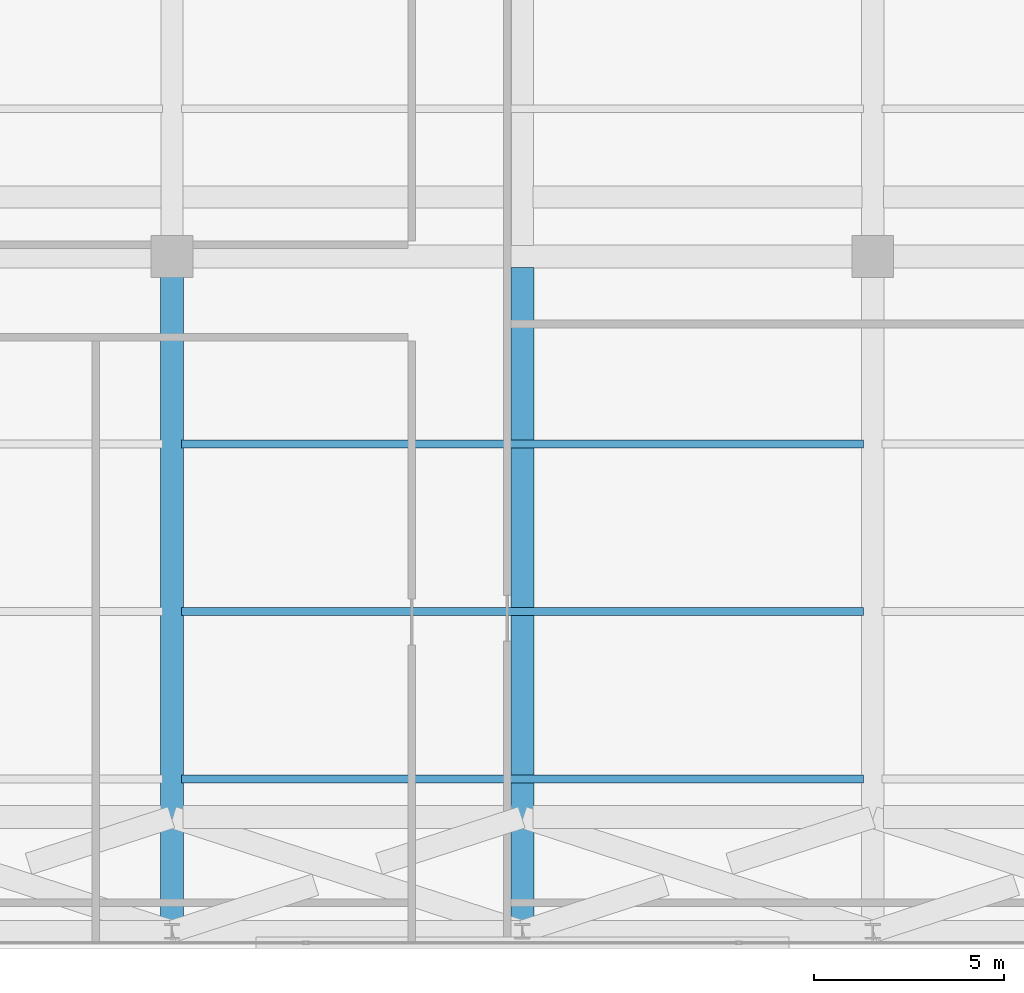
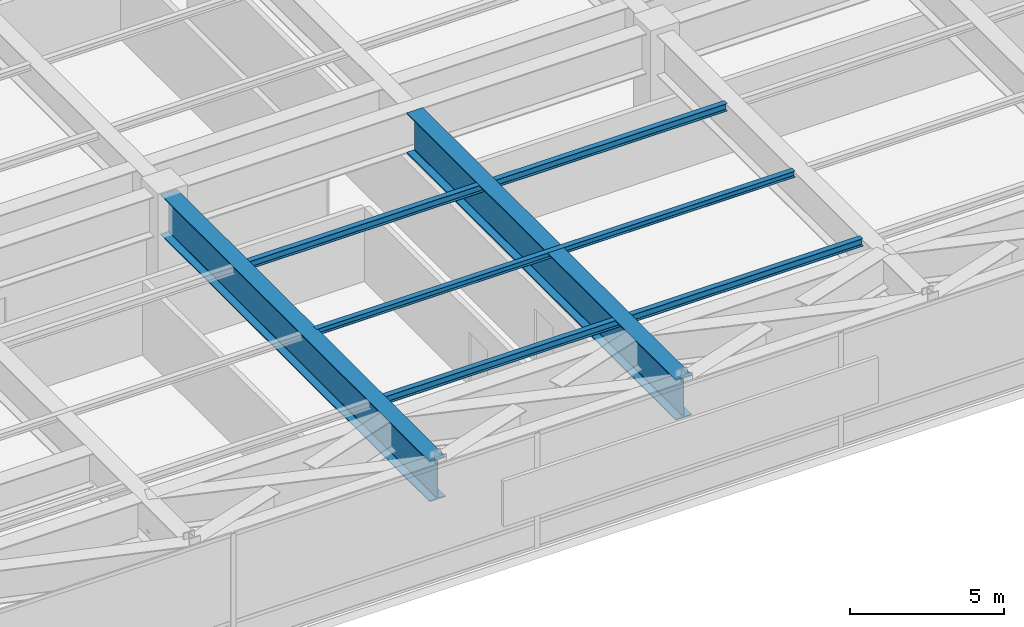
# One storey, part 7 of 30: 5 beams.
"""IFC4 building model written with IfcOpenShell, lengths in metres."""

from ifc_helpers import new_model, si_unit, direction, frame, origin, origin_2d, place, context, subcontext, project, spatial, i_section, extrude, source, transform, mapped, material, material_profile, profile_set, type_object, type_shapes, element, save


model = new_model("IFC4")

# Units and contexts
model_context = context("Model", 3, precision=1e-05, world=origin(), true_north=direction((0.0, 1.0)))
body_context = subcontext(model_context, "Body", "Model", "MODEL_VIEW")
ifc_project = project(units=[si_unit("LENGTHUNIT", "METRE"), si_unit("AREAUNIT", "SQUARE_METRE"), si_unit("VOLUMEUNIT", "CUBIC_METRE"), si_unit("PLANEANGLEUNIT", "RADIAN"), si_unit("MASSUNIT", "GRAM", prefix="KILO")], contexts=[model_context])

# Site, building, storey
site_placement = place(None, origin())
site = spatial("IfcSite", under=ifc_project, at=site_placement, CompositionType="ELEMENT")
building_placement = place(site_placement, origin())
building = spatial("IfcBuilding", under=site, at=building_placement, Name="Varnel Quay Broadcast Tower", CompositionType="ELEMENT")
storey_placement = place(building_placement, frame((0.0, 0.0, 82.199951171875)))
storey = spatial("IfcBuildingStorey", under=building, at=storey_placement, Name="L19", CompositionType="ELEMENT", Elevation=82.199951171875)

# Beams
ifc_material_1 = material(Name="Structural Steel CSA G40.21 350WT", Category="steel")
ifc_material_profile_1 = material_profile(ifc_material_1, i_section(OverallWidth=0.60009765625, OverallDepth=1.60009765625, WebThickness=0.02392578125, FlangeThickness=0.0419921875, FilletRadius=0.02197265625, at=origin_2d()), Name="WWF1600X620")
ifc_profile_set_1 = profile_set([ifc_material_profile_1], Name="Structural Steel CSA G40.21 350WT")
beam_type_1 = type_object("IfcBeamType", Name="Girder_WWF1600X620", PredefinedType="BEAM", material=ifc_profile_set_1)
shared_shape_1 = source(origin(), body_context, "Body", "SweptSolid", [
    extrude(i_section(OverallWidth=0.60009765625, OverallDepth=1.60009765625, WebThickness=0.02392578125, FlangeThickness=0.0419921875, FilletRadius=0.02197265625, at=origin_2d()), origin(), (0.0, 0.0, 1.0), 17.4150390625),
])
type_shapes(beam_type_1, [shared_shape_1])
for number, where, z_axis, x_axis, name in (
    (1, (24.800048828125, 1.669921875, 3.75), (0.0, 1.0, 0.0), (-1.0, 0.0, 0.0), "L19 N-S Transfer Girder 2A"),
    (2, (34.0, 1.669921875, 3.75), (0.0, 1.0, 0.0), (-1.0, 0.0, 0.0), "L19 N-S Transfer Girder 3A"),
):
    element("IfcBeam", number, at=place(storey_placement, frame(where, z_axis=z_axis, x_axis=x_axis)), inside=storey, type_object=beam_type_1, Name=name, PredefinedType="BEAM", context=body_context, shape_type="MappedRepresentation", body=[
        mapped(shared_shape_1, transform((0.0, 0.0, 0.0), x_axis=(1.0, 0.0, 0.0), y_axis=(0.0, 1.0, 0.0), z_axis=(0.0, 0.0, 1.0), scale=1.0)),
    ])
ifc_material_2 = material(Name="Structural Steel CSA G40.21 350W", Category="steel")
ifc_material_profile_2 = material_profile(ifc_material_2, i_section(OverallWidth=0.202880859375, OverallDepth=0.302978515625, WebThickness=0.007568359375, FlangeThickness=0.01318359375, FilletRadius=0.011962890625, at=origin_2d()), Name="W310X60")
ifc_profile_set_2 = profile_set([ifc_material_profile_2], Name="Structural Steel CSA G40.21 350W")
beam_type_2 = type_object("IfcBeamType", Name="Beam_W310X60", PredefinedType="JOIST", material=ifc_profile_set_2)
shared_shape_2 = source(origin(), body_context, "Body", "SweptSolid", [
    extrude(i_section(OverallWidth=0.202880859375, OverallDepth=0.302978515625, WebThickness=0.007568359375, FlangeThickness=0.01318359375, FilletRadius=0.011962890625, at=origin_2d()), origin(), (0.0, 0.0, 1.0), 17.91015625),
])
type_shapes(beam_type_2, [shared_shape_2])
for number, where, z_axis, x_axis, name in (
    (3, (25.044921875, 5.64990234375, 4.3984375), (1.0, 0.0, 0.0), (0.0, 1.0, 0.0), "L19 Central Floor Joist 1"),
    (4, (25.044921875, 14.449951171875, 4.3984375), (1.0, 0.0, 0.0), (0.0, 1.0, 0.0), "L19 Central Floor Joist 3"),
):
    element("IfcBeam", number, at=place(storey_placement, frame(where, z_axis=z_axis, x_axis=x_axis)), inside=storey, type_object=beam_type_2, Name=name, PredefinedType="JOIST", context=body_context, shape_type="MappedRepresentation", body=[
        mapped(shared_shape_2, transform((0.0, 0.0, 0.0), x_axis=(1.0, 0.0, 0.0), y_axis=(0.0, 1.0, 0.0), z_axis=(0.0, 0.0, 1.0), scale=1.0)),
    ])
ifc_material_profile_3 = material_profile(ifc_material_2, i_section(OverallWidth=0.201904296875, OverallDepth=0.2470703125, WebThickness=0.00732421875, FlangeThickness=0.010986328125, FilletRadius=0.010986328125, at=origin_2d()), Name="W250X49")
ifc_profile_set_3 = profile_set([ifc_material_profile_3], Name="Structural Steel CSA G40.21 350W")
beam_type_3 = type_object("IfcBeamType", Name="Beam_W250X49", PredefinedType="JOIST", material=ifc_profile_set_3)
shared_shape_3 = source(origin(), body_context, "Body", "SweptSolid", [
    extrude(i_section(OverallWidth=0.201904296875, OverallDepth=0.2470703125, WebThickness=0.00732421875, FlangeThickness=0.010986328125, FilletRadius=0.010986328125, at=origin_2d()), origin(), (0.0, 0.0, 1.0), 17.91015625),
])
type_shapes(beam_type_3, [shared_shape_3])
beam_placement = place(storey_placement, frame((25.044921875, 10.050048828125, 4.426513671875), z_axis=(1.0, 0.0, 0.0), x_axis=(0.0, 1.0, 0.0)))
element("IfcBeam", 5, at=beam_placement, inside=storey, type_object=beam_type_3, Name="L19 Central Floor Joist 2", PredefinedType="JOIST", context=body_context, shape_type="MappedRepresentation", body=[
    mapped(shared_shape_3, transform((0.0, 0.0, 0.0), x_axis=(1.0, 0.0, 0.0), y_axis=(0.0, 1.0, 0.0), z_axis=(0.0, 0.0, 1.0), scale=1.0)),
])

save(model, "model.ifc")
